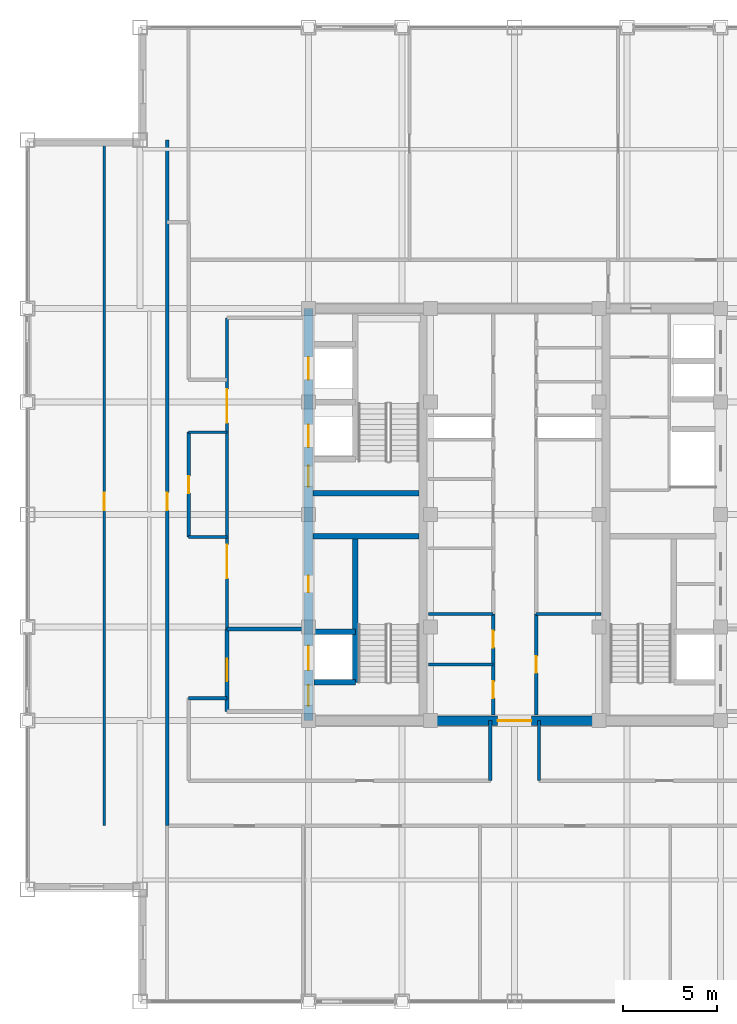
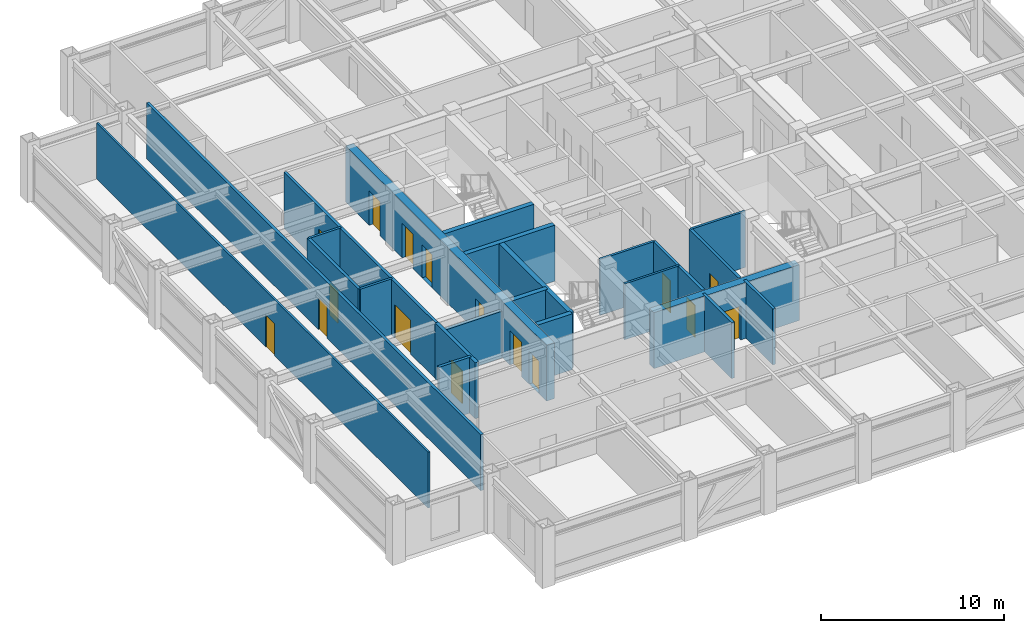
# One storey, part 24 of 28: 23 walls, 16 doors, 16 openings.
"""IFC4 building model written with IfcOpenShell, lengths in metres."""

from ifc_helpers import new_model, si_unit, direction, frame, frame_2d, origin, place, context, subcontext, project, spatial, rectangle, extrude, source, transform, mapped, material, layer, layer_set, type_object, element, fill, save


model = new_model("IFC4")

# Units and contexts
model_context = context("Model", 3, precision=1e-05, world=origin(), true_north=direction((0.0, 1.0)))
body_context = subcontext(model_context, "Body", "Model", "MODEL_VIEW")
ifc_project = project(units=[si_unit("LENGTHUNIT", "METRE"), si_unit("AREAUNIT", "SQUARE_METRE"), si_unit("VOLUMEUNIT", "CUBIC_METRE"), si_unit("PLANEANGLEUNIT", "RADIAN"), si_unit("MASSUNIT", "GRAM", prefix="KILO")], contexts=[model_context])

# Site, building, storey
site_placement = place(None, origin())
site = spatial("IfcSite", under=ifc_project, at=site_placement, CompositionType="ELEMENT")
building_placement = place(site_placement, origin())
building = spatial("IfcBuilding", under=site, at=building_placement, Name="Khorayat Bourse Tower", CompositionType="ELEMENT")
storey_placement = place(building_placement, frame((0.0, 0.0, 334.300048828125)))
storey = spatial("IfcBuildingStorey", under=building, at=storey_placement, Name="L79", CompositionType="ELEMENT", Elevation=334.300048828125)

# Wall, openings, doors
ifc_material_1 = material(Name="Concrete C52/65", Category="concrete")
ifc_layer_1 = layer(ifc_material_1, 0.5)
ifc_layer_set_1 = layer_set([ifc_layer_1], Name="Concrete C52/65")
wall_type_1 = type_object("IfcWallType", Name="WAL-CORE-500", PredefinedType="SHEAR", material=ifc_layer_set_1)
shared_shape_1 = source(origin(), body_context, "Body", "SweptSolid", [
    extrude(rectangle(XDim=22.0, YDim=0.5, at=frame_2d((11.0, 0.0))), origin(), (0.0, 0.0, 1.0), 3.739990234375),
])
wall_1_placement = place(storey_placement, frame((-11.0, -11.0, 0.0), z_axis=(0.0, 0.0, 1.0), x_axis=(0.0, 1.0, 0.0)))
wall_1 = element("IfcWall", 1, at=wall_1_placement, inside=storey, type_object=wall_type_1, Name="L79 Core Shear Wall CORE-W", PredefinedType="SHEAR", context=body_context, shape_type="MappedRepresentation", body=[
    mapped(shared_shape_1, transform((0.0, 0.0, 0.0), scale=1.0)),
])
shared_shape_2 = source(origin(), body_context, "Body", "SweptSolid", [
    extrude(rectangle(XDim=1.10009765625, YDim=2.199951171875, at=frame_2d((0.550048828125, 1.10009765625))), frame((0.0, 0.260009765625, 0.0), z_axis=(0.0, -1.0, 0.0), x_axis=(1.0, 0.0, 0.0)), (0.0, 0.0, 1.0), 0.52001953125),
])
opening_1_placement = place(wall_1_placement, frame((0.800048828125, 0.0, 0.0)))
opening_1 = element("IfcOpeningElement", 2, at=opening_1_placement, cuts=wall_1, Name="Opening DI-01", PredefinedType="OPENING", context=body_context, shape_type="MappedRepresentation", body=[
    mapped(shared_shape_2, transform((0.0, 0.0, 0.0), scale=1.0)),
])
opening_2_placement = place(wall_1_placement, frame((12.5, 0.0, 0.0)))
opening_2 = element("IfcOpeningElement", 3, at=opening_2_placement, cuts=wall_1, Name="Opening DI-01", PredefinedType="OPENING", context=body_context, shape_type="MappedRepresentation", body=[
    mapped(shared_shape_2, transform((0.0, 0.0, 0.0), scale=1.0)),
])
shared_shape_3 = source(origin(), body_context, "Body", "SweptSolid", [
    extrude(rectangle(XDim=0.89990234375, YDim=2.14990234375, at=frame_2d((0.449951171875, 1.074951171875))), frame((0.0, 0.260009765625, 0.0), z_axis=(0.0, -1.0, 0.0), x_axis=(1.0, 0.0, 0.0)), (0.0, 0.0, 1.0), 0.52001953125),
])
opening_3_placement = place(wall_1_placement, frame((6.85009765625, 0.0, 0.0)))
opening_3 = element("IfcOpeningElement", 4, at=opening_3_placement, cuts=wall_1, Name="Opening DI-06", PredefinedType="OPENING", context=body_context, shape_type="MappedRepresentation", body=[
    mapped(shared_shape_3, transform((0.0, 0.0, 0.0), scale=1.0)),
])
shared_shape_4 = source(origin(), body_context, "Body", "SweptSolid", [
    extrude(rectangle(XDim=1.199951171875, YDim=2.300048828125, at=frame_2d((0.60009765625, 1.14990234375))), frame((0.0, 0.260009765625, 0.0), z_axis=(0.0, -1.0, 0.0), x_axis=(1.0, 0.0, 0.0)), (0.0, 0.0, 1.0), 0.52001953125),
])
opening_4_placement = place(wall_1_placement, frame((14.60009765625, 0.0, 0.0)))
opening_4 = element("IfcOpeningElement", 5, at=opening_4_placement, cuts=wall_1, Name="Opening LD-01", PredefinedType="OPENING", context=body_context, shape_type="MappedRepresentation", body=[
    mapped(shared_shape_4, transform((0.0, 0.0, 0.0), scale=1.0)),
])
opening_5_placement = place(wall_1_placement, frame((18.199951171875, 0.0, 0.0)))
opening_5 = element("IfcOpeningElement", 6, at=opening_5_placement, cuts=wall_1, Name="Opening LD-01", PredefinedType="OPENING", context=body_context, shape_type="MappedRepresentation", body=[
    mapped(shared_shape_4, transform((0.0, 0.0, 0.0), scale=1.0)),
])
shared_shape_5 = source(origin(), body_context, "Body", "SweptSolid", [
    extrude(rectangle(XDim=1.300048828125, YDim=2.300048828125, at=frame_2d((0.64990234375, 1.14990234375))), frame((0.0, 0.260009765625, 0.0), z_axis=(0.0, -1.0, 0.0), x_axis=(1.0, 0.0, 0.0)), (0.0, 0.0, 1.0), 0.52001953125),
])
opening_6_placement = place(wall_1_placement, frame((2.699951171875, 0.0, 0.0)))
opening_6 = element("IfcOpeningElement", 7, at=opening_6_placement, cuts=wall_1, Name="Opening LD-02", PredefinedType="OPENING", context=body_context, shape_type="MappedRepresentation", body=[
    mapped(shared_shape_5, transform((0.0, 0.0, 0.0), scale=1.0)),
])
ifc_material_2 = material(Name="Fire-rated steel acoustic leaf", Category="steel")
door_type_1 = type_object("IfcDoorType", Name="DR-INT-STAIR-1100", OperationType="NOTDEFINED", PredefinedType="DOOR", material=ifc_material_2)
shared_shape_6 = source(origin(), body_context, "Body", "SweptSolid", [
    extrude(rectangle(XDim=1.10009765625, YDim=2.199951171875, at=frame_2d((0.550048828125, 1.10009765625))), frame((0.0, 0.02490234375, 0.0), z_axis=(0.0, -1.0, 0.0), x_axis=(1.0, 0.0, 0.0)), (0.0, 0.0, 1.0), 0.050048828125),
])
door_1_placement = place(opening_1_placement, origin())
door_1 = element("IfcDoor", 8, at=door_1_placement, inside=storey, type_object=door_type_1, Name="L79 Exit Stair 1 Door", OperationType="SINGLE_SWING_RIGHT", OverallHeight=2.199951171875, OverallWidth=1.10009765625, PredefinedType="DOOR", context=body_context, shape_type="MappedRepresentation", body=[
    mapped(shared_shape_6, transform((0.0, 0.0, 0.0), scale=1.0)),
])
fill(opening_1, door_1)
door_2_placement = place(opening_2_placement, origin())
door_2 = element("IfcDoor", 9, at=door_2_placement, inside=storey, type_object=door_type_1, Name="L79 Exit Stair 2 Door", OperationType="SINGLE_SWING_RIGHT", OverallHeight=2.199951171875, OverallWidth=1.10009765625, PredefinedType="DOOR", context=body_context, shape_type="MappedRepresentation", body=[
    mapped(shared_shape_6, transform((0.0, 0.0, 0.0), scale=1.0)),
])
fill(opening_2, door_2)
ifc_material_3 = material(Name="Moisture-resistant laminate washroom door")
door_type_2 = type_object("IfcDoorType", Name="DR-INT-WC-900", OperationType="NOTDEFINED", PredefinedType="DOOR", material=ifc_material_3)
shared_shape_7 = source(origin(), body_context, "Body", "SweptSolid", [
    extrude(rectangle(XDim=0.89990234375, YDim=2.14990234375, at=frame_2d((0.449951171875, 1.074951171875))), frame((0.0, 0.02490234375, 0.0), z_axis=(0.0, -1.0, 0.0), x_axis=(1.0, 0.0, 0.0)), (0.0, 0.0, 1.0), 0.050048828125),
])
door_3_placement = place(opening_3_placement, origin())
door_3 = element("IfcDoor", 10, at=door_3_placement, inside=storey, type_object=door_type_2, Name="L79 Electrical Switch Plant Room Door", OperationType="SINGLE_SWING_RIGHT", OverallHeight=2.14990234375, OverallWidth=0.89990234375, PredefinedType="DOOR", context=body_context, shape_type="MappedRepresentation", body=[
    mapped(shared_shape_7, transform((0.0, 0.0, 0.0), scale=1.0)),
])
fill(opening_3, door_3)
ifc_material_4 = material(Name="Brushed bronze stainless-steel sliding door", Category="steel")
door_type_3 = type_object("IfcDoorType", Name="DR-LIFT-PASS-1200", OperationType="NOTDEFINED", PredefinedType="DOOR", material=ifc_material_4)
shared_shape_8 = source(origin(), body_context, "Body", "SweptSolid", [
    extrude(rectangle(XDim=1.199951171875, YDim=2.300048828125, at=frame_2d((0.60009765625, 1.14990234375))), frame((0.0, 0.02490234375, 0.0), z_axis=(0.0, -1.0, 0.0), x_axis=(1.0, 0.0, 0.0)), (0.0, 0.0, 1.0), 0.050048828125),
])
door_4_placement = place(opening_4_placement, origin())
door_4 = element("IfcDoor", 11, at=door_4_placement, inside=storey, type_object=door_type_3, Name="L79 Lift PL-H1 Sliding Landing Door", OperationType="SLIDING_TO_LEFT", OverallHeight=2.300048828125, OverallWidth=1.199951171875, PredefinedType="DOOR", context=body_context, shape_type="MappedRepresentation", body=[
    mapped(shared_shape_8, transform((0.0, 0.0, 0.0), scale=1.0)),
])
fill(opening_4, door_4)
door_5_placement = place(opening_5_placement, origin())
door_5 = element("IfcDoor", 12, at=door_5_placement, inside=storey, type_object=door_type_3, Name="L79 Lift PL-H2 Sliding Landing Door", OperationType="SLIDING_TO_LEFT", OverallHeight=2.300048828125, OverallWidth=1.199951171875, PredefinedType="DOOR", context=body_context, shape_type="MappedRepresentation", body=[
    mapped(shared_shape_8, transform((0.0, 0.0, 0.0), scale=1.0)),
])
fill(opening_5, door_5)
ifc_material_5 = material(Name="Fire-rated stainless-steel sliding landing door", Category="steel")
door_type_4 = type_object("IfcDoorType", Name="DR-LIFT-FF-1300", OperationType="NOTDEFINED", PredefinedType="DOOR", material=ifc_material_5)
shared_shape_9 = source(origin(), body_context, "Body", "SweptSolid", [
    extrude(rectangle(XDim=1.300048828125, YDim=2.300048828125, at=frame_2d((0.64990234375, 1.14990234375))), frame((0.0, 0.02490234375, 0.0), z_axis=(0.0, -1.0, 0.0), x_axis=(1.0, 0.0, 0.0)), (0.0, 0.0, 1.0), 0.050048828125),
])
door_6_placement = place(opening_6_placement, origin())
door_6 = element("IfcDoor", 13, at=door_6_placement, inside=storey, type_object=door_type_4, Name="L79 Lift FFL-01 Sliding Landing Door", OperationType="SLIDING_TO_LEFT", OverallHeight=2.300048828125, OverallWidth=1.300048828125, PredefinedType="DOOR", context=body_context, shape_type="MappedRepresentation", body=[
    mapped(shared_shape_9, transform((0.0, 0.0, 0.0), scale=1.0)),
])
fill(opening_6, door_6)

# Walls
ifc_material_6 = material(Name="Concrete C50/60", Category="concrete")
ifc_layer_2 = layer(ifc_material_6, 0.300048828125)
ifc_layer_set_2 = layer_set([ifc_layer_2], Name="Concrete C50/60")
wall_type_2 = type_object("IfcWallType", Name="WAL-SHAFT-300", PredefinedType="SHEAR", material=ifc_layer_set_2)
shared_shape_10 = source(origin(), body_context, "Body", "SweptSolid", [
    extrude(rectangle(XDim=5.64990234375, YDim=0.300048828125, at=frame_2d((2.824951171875, 0.0))), origin(), (0.0, 0.0, 1.0), 3.739990234375),
])
for number, where, z_axis, x_axis, name in (
    (14, (-10.75, -1.14990234375, 0.0), (0.0, 0.0, 1.0), (1.0, 0.0, 0.0), "L79 Core Shear Wall ST1-DIV"),
    (15, (-10.75, 1.14990234375, 0.0), (0.0, 0.0, 1.0), (1.0, 0.0, 0.0), "L79 Core Shear Wall ST2-DIV"),
):
    element("IfcWall", number, at=place(storey_placement, frame(where, z_axis=z_axis, x_axis=x_axis)), inside=storey, type_object=wall_type_2, Name=name, PredefinedType="SHEAR", context=body_context, shape_type="MappedRepresentation", body=[
        mapped(shared_shape_10, transform((0.0, 0.0, 0.0), scale=1.0)),
    ])

# Wall, opening, door
shared_shape_11 = source(origin(), body_context, "Body", "SweptSolid", [
    extrude(rectangle(XDim=9.2001953125, YDim=0.5, at=frame_2d((4.60009765625, 0.0))), origin(), (0.0, 0.0, 1.0), 3.739990234375),
])
wall_2_placement = place(storey_placement, frame((-4.60009765625, -11.0, 0.0), z_axis=(0.0, 0.0, 1.0), x_axis=(1.0, 0.0, 0.0)))
wall_2 = element("IfcWall", 16, at=wall_2_placement, inside=storey, type_object=wall_type_1, Name="L79 Core Shear Wall CORE-S", PredefinedType="SHEAR", context=body_context, shape_type="MappedRepresentation", body=[
    mapped(shared_shape_11, transform((0.0, 0.0, 0.0), scale=1.0)),
])
shared_shape_12 = source(origin(), body_context, "Body", "SweptSolid", [
    extrude(rectangle(XDim=1.800048828125, YDim=2.25, at=frame_2d((0.89990234375, 1.125))), frame((0.0, 0.260009765625, 0.0), z_axis=(0.0, -1.0, 0.0), x_axis=(1.0, 0.0, 0.0)), (0.0, 0.0, 1.0), 0.52001953125),
])
opening_7_placement = place(wall_2_placement, frame((3.699951171875, 0.0, 0.0)))
opening_7 = element("IfcOpeningElement", 17, at=opening_7_placement, cuts=wall_2, Name="Opening DI-03", PredefinedType="OPENING", context=body_context, shape_type="MappedRepresentation", body=[
    mapped(shared_shape_12, transform((0.0, 0.0, 0.0), scale=1.0)),
])
ifc_material_7 = material(Name="Fire-rated hardwood vision-panel double leaf", Category="wood")
door_type_5 = type_object("IfcDoorType", Name="DR-INT-CORR-1800", OperationType="NOTDEFINED", PredefinedType="DOOR", material=ifc_material_7)
shared_shape_13 = source(origin(), body_context, "Body", "SweptSolid", [
    extrude(rectangle(XDim=1.800048828125, YDim=2.25, at=frame_2d((0.89990234375, 1.125))), frame((0.0, 0.02490234375, 0.0), z_axis=(0.0, -1.0, 0.0), x_axis=(1.0, 0.0, 0.0)), (0.0, 0.0, 1.0), 0.050048828125),
])
door_7_placement = place(opening_7_placement, origin())
door_7 = element("IfcDoor", 18, at=door_7_placement, inside=storey, type_object=door_type_5, Name="L79 Central Core South Passage Door", OperationType="SINGLE_SWING_LEFT", OverallHeight=2.25, OverallWidth=1.800048828125, PredefinedType="DOOR", context=body_context, shape_type="MappedRepresentation", body=[
    mapped(shared_shape_13, transform((0.0, 0.0, 0.0), scale=1.0)),
])
fill(opening_7, door_7)

# Walls
shared_shape_14 = source(origin(), body_context, "Body", "SweptSolid", [
    extrude(rectangle(XDim=7.800048828125, YDim=0.300048828125, at=frame_2d((3.89990234375, 0.0))), origin(), (0.0, 0.0, 1.0), 3.739990234375),
])
wall_3_placement = place(storey_placement, frame((-8.5, -8.949951171875, 0.0), z_axis=(0.0, 0.0, 1.0), x_axis=(0.0, 1.0, 0.0)))
element("IfcWall", 19, at=wall_3_placement, inside=storey, type_object=wall_type_2, Name="L79 Partition WAL-L79-WPIER-SP", PredefinedType="SHEAR", context=body_context, shape_type="MappedRepresentation", body=[
    mapped(shared_shape_14, transform((0.0, 0.0, 0.0), scale=1.0)),
])
shared_shape_15 = source(origin(), body_context, "Body", "SweptSolid", [
    extrude(rectangle(XDim=2.199951171875, YDim=0.300048828125, at=frame_2d((1.10009765625, 0.0))), origin(), (0.0, 0.0, 1.0), 3.739990234375),
])
for number, where, z_axis, x_axis, name in (
    (20, (-10.699951171875, -8.949951171875, 0.0), (0.0, 0.0, 1.0), (1.0, 0.0, 0.0), "L79 Partition WAL-L79-WPIER-FF1S"),
    (21, (-10.699951171875, -6.25, 0.0), (0.0, 0.0, 1.0), (1.0, 0.0, 0.0), "L79 Partition WAL-L79-WPIER-FF1N"),
):
    element("IfcWall", number, at=place(storey_placement, frame(where, z_axis=z_axis, x_axis=x_axis)), inside=storey, type_object=wall_type_2, Name=name, PredefinedType="SHEAR", context=body_context, shape_type="MappedRepresentation", body=[
        mapped(shared_shape_15, transform((0.0, 0.0, 0.0), scale=1.0)),
    ])
ifc_material_8 = material(Name="Aerated concrete blockwork", Category="masonry")
ifc_layer_3 = layer(ifc_material_8, 0.219970703125)
ifc_layer_set_3 = layer_set([ifc_layer_3], Name="Aerated concrete blockwork")
wall_type_3 = type_object("IfcWallType", Name="WAL-PART-FF-220", PredefinedType="PARTITIONING", material=ifc_layer_set_3)
shared_shape_16 = source(origin(), body_context, "Body", "SweptSolid", [
    extrude(rectangle(XDim=4.050048828125, YDim=0.219970703125, at=frame_2d((2.02490234375, 0.0))), origin(), (0.0, 0.0, 1.0), 3.1240234375),
])
wall_4_placement = place(storey_placement, frame((-15.35009765625, -6.10009765625, 0.0), z_axis=(0.0, 0.0, 1.0), x_axis=(1.0, 0.0, 0.0)))
element("IfcWall", 22, at=wall_4_placement, inside=storey, type_object=wall_type_3, Name="L79 Partition WAL-L79-FFLW-N", PredefinedType="PARTITIONING", context=body_context, shape_type="MappedRepresentation", body=[
    mapped(shared_shape_16, transform((0.0, 0.0, 0.0), scale=1.0)),
])

# Wall, opening, door
shared_shape_17 = source(origin(), body_context, "Body", "SweptSolid", [
    extrude(rectangle(XDim=4.39990234375, YDim=0.219970703125, at=frame_2d((2.199951171875, 0.0))), origin(), (0.0, 0.0, 1.0), 3.739990234375),
])
wall_5_placement = place(storey_placement, frame((-15.35009765625, -10.5, 0.0), z_axis=(0.0, 0.0, 1.0), x_axis=(0.0, 1.0, 0.0)))
wall_5 = element("IfcWall", 23, at=wall_5_placement, inside=storey, type_object=wall_type_3, Name="L79 Partition WAL-L79-FFLW-W", PredefinedType="PARTITIONING", context=body_context, shape_type="MappedRepresentation", body=[
    mapped(shared_shape_17, transform((0.0, 0.0, 0.0), scale=1.0)),
])
shared_shape_18 = source(origin(), body_context, "Body", "SweptSolid", [
    extrude(rectangle(XDim=1.199951171875, YDim=2.199951171875, at=frame_2d((0.60009765625, 1.10009765625))), frame((0.0, 0.119873046875, 0.0), z_axis=(0.0, -1.0, 0.0), x_axis=(1.0, 0.0, 0.0)), (0.0, 0.0, 1.0), 0.239990234375),
])
opening_8_placement = place(wall_5_placement, frame((1.60009765625, 0.0, 0.0)))
opening_8 = element("IfcOpeningElement", 24, at=opening_8_placement, cuts=wall_5, Name="Opening DI-02", PredefinedType="OPENING", context=body_context, shape_type="MappedRepresentation", body=[
    mapped(shared_shape_18, transform((0.0, 0.0, 0.0), scale=1.0)),
])
ifc_material_9 = material(Name="Fire-rated steel double-seal leaf", Category="steel")
door_type_6 = type_object("IfcDoorType", Name="DR-INT-FFLOBBY-1200", OperationType="NOTDEFINED", PredefinedType="DOOR", material=ifc_material_9)
shared_shape_19 = source(origin(), body_context, "Body", "SweptSolid", [
    extrude(rectangle(XDim=1.199951171875, YDim=2.199951171875, at=frame_2d((0.60009765625, 1.10009765625))), frame((0.0, 0.02490234375, 0.0), z_axis=(0.0, -1.0, 0.0), x_axis=(1.0, 0.0, 0.0)), (0.0, 0.0, 1.0), 0.050048828125),
])
door_8_placement = place(opening_8_placement, origin())
door_8 = element("IfcDoor", 25, at=door_8_placement, inside=storey, type_object=door_type_6, Name="L79 West Firefighting Lobby Door", OperationType="SINGLE_SWING_LEFT", OverallHeight=2.199951171875, OverallWidth=1.199951171875, PredefinedType="DOOR", context=body_context, shape_type="MappedRepresentation", body=[
    mapped(shared_shape_19, transform((0.0, 0.0, 0.0), scale=1.0)),
])
fill(opening_8, door_8)

# Wall, openings, doors
ifc_material_10 = material(Name="Gypsum plasterboard acoustic stud wall")
ifc_layer_4 = layer(ifc_material_10, 0.179931640625)
ifc_layer_set_4 = layer_set([ifc_layer_4], Name="Gypsum plasterboard acoustic stud wall")
wall_type_4 = type_object("IfcWallType", Name="WAL-PART-CORR-180", PredefinedType="PARTITIONING", material=ifc_layer_set_4)
shared_shape_20 = source(origin(), body_context, "Body", "SweptSolid", [
    extrude(rectangle(XDim=16.60009765625, YDim=0.179931640625, at=frame_2d((8.300048828125, 0.0))), origin(), (0.0, 0.0, 1.0), 3.739990234375),
])
wall_6_placement = place(storey_placement, frame((-15.35009765625, -6.10009765625, 0.0), z_axis=(0.0, 0.0, 1.0), x_axis=(0.0, 1.0, 0.0)))
wall_6 = element("IfcWall", 26, at=wall_6_placement, inside=storey, type_object=wall_type_4, Name="L79 Partition WAL-L79-WLOB-W", PredefinedType="PARTITIONING", context=body_context, shape_type="MappedRepresentation", body=[
    mapped(shared_shape_20, transform((0.0, 0.0, 0.0), scale=1.0)),
])
shared_shape_21 = source(origin(), body_context, "Body", "SweptSolid", [
    extrude(rectangle(XDim=1.800048828125, YDim=2.25, at=frame_2d((0.89990234375, 1.125))), frame((0.0, 0.099853515625, 0.0), z_axis=(0.0, -1.0, 0.0), x_axis=(1.0, 0.0, 0.0)), (0.0, 0.0, 1.0), 0.199951171875),
])
opening_9_placement = place(wall_6_placement, frame((2.699951171875, 0.0, 0.0)))
opening_9 = element("IfcOpeningElement", 27, at=opening_9_placement, cuts=wall_6, Name="Opening DI-03", PredefinedType="OPENING", context=body_context, shape_type="MappedRepresentation", body=[
    mapped(shared_shape_21, transform((0.0, 0.0, 0.0), scale=1.0)),
])
opening_10_placement = place(wall_6_placement, frame((11.0, 0.0, 0.0)))
opening_10 = element("IfcOpeningElement", 28, at=opening_10_placement, cuts=wall_6, Name="Opening DI-03", PredefinedType="OPENING", context=body_context, shape_type="MappedRepresentation", body=[
    mapped(shared_shape_21, transform((0.0, 0.0, 0.0), scale=1.0)),
])
door_9_placement = place(opening_9_placement, origin())
door_9 = element("IfcDoor", 29, at=door_9_placement, inside=storey, type_object=door_type_5, Name="L79 West Core Lobby South Door", OperationType="SINGLE_SWING_LEFT", OverallHeight=2.25, OverallWidth=1.800048828125, PredefinedType="DOOR", context=body_context, shape_type="MappedRepresentation", body=[
    mapped(shared_shape_13, transform((0.0, 0.0, 0.0), scale=1.0)),
])
fill(opening_9, door_9)
door_10_placement = place(opening_10_placement, origin())
door_10 = element("IfcDoor", 30, at=door_10_placement, inside=storey, type_object=door_type_5, Name="L79 West Core Lobby North Door", OperationType="SINGLE_SWING_RIGHT", OverallHeight=2.25, OverallWidth=1.800048828125, PredefinedType="DOOR", context=body_context, shape_type="MappedRepresentation", body=[
    mapped(shared_shape_13, transform((0.0, 0.0, 0.0), scale=1.0)),
])
fill(opening_10, door_10)

# Walls
ifc_material_11 = material(Name="Gypsum plasterboard twin-frame partition")
ifc_layer_5 = layer(ifc_material_11, 0.14990234375)
ifc_layer_set_5 = layer_set([ifc_layer_5], Name="Gypsum plasterboard twin-frame partition")
wall_type_5 = type_object("IfcWallType", Name="WAL-PART-SUITE-150", PredefinedType="PARTITIONING", material=ifc_layer_set_5)
shared_shape_22 = source(origin(), body_context, "Body", "SweptSolid", [
    extrude(rectangle(XDim=3.4501953125, YDim=0.14990234375, at=frame_2d((1.72509765625, 0.0))), origin(), (0.0, 0.0, 1.0), 3.739990234375),
])
for number, where, z_axis, x_axis, name in (
    (31, (-4.60009765625, -5.300048828125, 0.0), (0.0, 0.0, 1.0), (1.0, 0.0, 0.0), "L79 Partition WAL-L79-FB1-NW"),
    (32, (1.14990234375, -5.300048828125, 0.0), (0.0, 0.0, 1.0), (1.0, 0.0, 0.0), "L79 Partition WAL-L79-FB1-NE"),
):
    element("IfcWall", number, at=place(storey_placement, frame(where, z_axis=z_axis, x_axis=x_axis)), inside=storey, type_object=wall_type_5, Name=name, PredefinedType="PARTITIONING", context=body_context, shape_type="MappedRepresentation", body=[
        mapped(shared_shape_22, transform((0.0, 0.0, 0.0), scale=1.0)),
    ])
ifc_material_12 = material(Name="Moisture-resistant masonry partition", Category="masonry")
ifc_layer_6 = layer(ifc_material_12, 0.139892578125)
ifc_layer_set_6 = layer_set([ifc_layer_6], Name="Moisture-resistant masonry partition")
wall_type_6 = type_object("IfcWallType", Name="WAL-PART-WET-140", PredefinedType="PARTITIONING", material=ifc_layer_set_6)
shared_shape_23 = source(origin(), body_context, "Body", "SweptSolid", [
    extrude(rectangle(XDim=3.4501953125, YDim=0.139892578125, at=frame_2d((1.72509765625, 0.0))), origin(), (0.0, 0.0, 1.0), 3.739990234375),
])
wall_7_placement = place(storey_placement, frame((-4.60009765625, -8.0, 0.0), z_axis=(0.0, 0.0, 1.0), x_axis=(1.0, 0.0, 0.0)))
element("IfcWall", 33, at=wall_7_placement, inside=storey, type_object=wall_type_6, Name="L79 Partition WAL-L79-FB1W-D1", PredefinedType="PARTITIONING", context=body_context, shape_type="MappedRepresentation", body=[
    mapped(shared_shape_23, transform((0.0, 0.0, 0.0), scale=1.0)),
])

# Wall, openings, doors
shared_shape_24 = source(origin(), body_context, "Body", "SweptSolid", [
    extrude(rectangle(XDim=5.39990234375, YDim=0.179931640625, at=frame_2d((2.699951171875, 0.0))), origin(), (0.0, 0.0, 1.0), 3.739990234375),
])
wall_8_placement = place(storey_placement, frame((-1.14990234375, -10.699951171875, 0.0), z_axis=(0.0, 0.0, 1.0), x_axis=(0.0, 1.0, 0.0)))
wall_8 = element("IfcWall", 34, at=wall_8_placement, inside=storey, type_object=wall_type_4, Name="L79 Partition WAL-L79-FB1W-L", PredefinedType="PARTITIONING", context=body_context, shape_type="MappedRepresentation", body=[
    mapped(shared_shape_24, transform((0.0, 0.0, 0.0), scale=1.0)),
])
shared_shape_25 = source(origin(), body_context, "Body", "SweptSolid", [
    extrude(rectangle(XDim=0.89990234375, YDim=2.14990234375, at=frame_2d((0.449951171875, 1.074951171875))), frame((0.0, 0.099853515625, 0.0), z_axis=(0.0, -1.0, 0.0), x_axis=(1.0, 0.0, 0.0)), (0.0, 0.0, 1.0), 0.199951171875),
])
opening_11_placement = place(wall_8_placement, frame((0.89990234375, 0.0, 0.0)))
opening_11 = element("IfcOpeningElement", 35, at=opening_11_placement, cuts=wall_8, Name="Opening DI-06", PredefinedType="OPENING", context=body_context, shape_type="MappedRepresentation", body=[
    mapped(shared_shape_25, transform((0.0, 0.0, 0.0), scale=1.0)),
])
opening_12_placement = place(wall_8_placement, frame((3.60009765625, 0.0, 0.0)))
opening_12 = element("IfcOpeningElement", 36, at=opening_12_placement, cuts=wall_8, Name="Opening DI-06", PredefinedType="OPENING", context=body_context, shape_type="MappedRepresentation", body=[
    mapped(shared_shape_25, transform((0.0, 0.0, 0.0), scale=1.0)),
])
door_11_placement = place(opening_11_placement, origin())
door_11 = element("IfcDoor", 37, at=door_11_placement, inside=storey, type_object=door_type_2, Name="L79 Clearing Vault Store Door", OperationType="SINGLE_SWING_RIGHT", OverallHeight=2.14990234375, OverallWidth=0.89990234375, PredefinedType="DOOR", context=body_context, shape_type="MappedRepresentation", body=[
    mapped(shared_shape_7, transform((0.0, 0.0, 0.0), scale=1.0)),
])
fill(opening_11, door_11)
door_12_placement = place(opening_12_placement, origin())
door_12 = element("IfcDoor", 38, at=door_12_placement, inside=storey, type_object=door_type_2, Name="L79 UPS Battery Plant Room Door", OperationType="SINGLE_SWING_LEFT", OverallHeight=2.14990234375, OverallWidth=0.89990234375, PredefinedType="DOOR", context=body_context, shape_type="MappedRepresentation", body=[
    mapped(shared_shape_7, transform((0.0, 0.0, 0.0), scale=1.0)),
])
fill(opening_12, door_12)

# Wall, opening, door
wall_9_placement = place(storey_placement, frame((1.14990234375, -10.699951171875, 0.0), z_axis=(0.0, 0.0, 1.0), x_axis=(0.0, 1.0, 0.0)))
wall_9 = element("IfcWall", 39, at=wall_9_placement, inside=storey, type_object=wall_type_4, Name="L79 Partition WAL-L79-FB1E-L", PredefinedType="PARTITIONING", context=body_context, shape_type="MappedRepresentation", body=[
    mapped(shared_shape_24, transform((0.0, 0.0, 0.0), scale=1.0)),
])
opening_13_placement = place(wall_9_placement, frame((2.25, 0.0, 0.0)))
opening_13 = element("IfcOpeningElement", 40, at=opening_13_placement, cuts=wall_9, Name="Opening DI-06", PredefinedType="OPENING", context=body_context, shape_type="MappedRepresentation", body=[
    mapped(shared_shape_25, transform((0.0, 0.0, 0.0), scale=1.0)),
])
door_13_placement = place(opening_13_placement, origin())
door_13 = element("IfcDoor", 41, at=door_13_placement, inside=storey, type_object=door_type_2, Name="L79 Core Archive Vault Door", OperationType="SINGLE_SWING_RIGHT", OverallHeight=2.14990234375, OverallWidth=0.89990234375, PredefinedType="DOOR", context=body_context, shape_type="MappedRepresentation", body=[
    mapped(shared_shape_7, transform((0.0, 0.0, 0.0), scale=1.0)),
])
fill(opening_13, door_13)

shared_shape_26 = source(origin(), body_context, "Body", "SweptSolid", [
    extrude(rectangle(XDim=5.599853515625, YDim=0.179931640625, at=frame_2d((2.7998046875, 0.0))), origin(), (0.0, 0.0, 1.0), 3.739990234375),
])
wall_10_placement = place(storey_placement, frame((-17.39990234375, -1.199951171875, 0.0), z_axis=(0.0, 0.0, 1.0), x_axis=(0.0, 1.0, 0.0)))
wall_10 = element("IfcWall", 42, at=wall_10_placement, inside=storey, type_object=wall_type_4, Name="L79 Partition WAL-L79-PKWM-W", PredefinedType="PARTITIONING", context=body_context, shape_type="MappedRepresentation", body=[
    mapped(shared_shape_26, transform((0.0, 0.0, 0.0), scale=1.0)),
])
opening_14_placement = place(wall_10_placement, frame((2.35009765625, 0.0, 0.0)))
opening_14 = element("IfcOpeningElement", 43, at=opening_14_placement, cuts=wall_10, Name="Opening DI-06", PredefinedType="OPENING", context=body_context, shape_type="MappedRepresentation", body=[
    mapped(shared_shape_25, transform((0.0, 0.0, 0.0), scale=1.0)),
])
door_14_placement = place(opening_14_placement, origin())
door_14 = element("IfcDoor", 44, at=door_14_placement, inside=storey, type_object=door_type_2, Name="L79 West Inboard Focus Door", OperationType="SINGLE_SWING_LEFT", OverallHeight=2.14990234375, OverallWidth=0.89990234375, PredefinedType="DOOR", context=body_context, shape_type="MappedRepresentation", body=[
    mapped(shared_shape_7, transform((0.0, 0.0, 0.0), scale=1.0)),
])
fill(opening_14, door_14)

# Walls
shared_shape_27 = source(origin(), body_context, "Body", "SweptSolid", [
    extrude(rectangle(XDim=2.0498046875, YDim=0.14990234375, at=frame_2d((1.02490234375, 0.0))), origin(), (0.0, 0.0, 1.0), 3.739990234375),
])
for number, where, z_axis, x_axis, name in (
    (45, (-17.39990234375, -1.199951171875, 0.0), (0.0, 0.0, 1.0), (1.0, 0.0, 0.0), "L79 Partition WAL-L79-PKWM-S"),
    (46, (-17.39990234375, 4.39990234375, 0.0), (0.0, 0.0, 1.0), (1.0, 0.0, 0.0), "L79 Partition WAL-L79-PKWM-N"),
):
    element("IfcWall", number, at=place(storey_placement, frame(where, z_axis=z_axis, x_axis=x_axis)), inside=storey, type_object=wall_type_5, Name=name, PredefinedType="PARTITIONING", context=body_context, shape_type="MappedRepresentation", body=[
        mapped(shared_shape_27, transform((0.0, 0.0, 0.0), scale=1.0)),
    ])
shared_shape_28 = source(origin(), body_context, "Body", "SweptSolid", [
    extrude(rectangle(XDim=2.0498046875, YDim=0.179931640625, at=frame_2d((1.02490234375, 0.0))), origin(), (0.0, 0.0, 1.0), 3.739990234375),
])
wall_11_placement = place(storey_placement, frame((-17.39990234375, -9.800048828125, 0.0), z_axis=(0.0, 0.0, 1.0), x_axis=(1.0, 0.0, 0.0)))
element("IfcWall", 47, at=wall_11_placement, inside=storey, type_object=wall_type_4, Name="L79 Partition WAL-L79-THRW-S", PredefinedType="PARTITIONING", context=body_context, shape_type="MappedRepresentation", body=[
    mapped(shared_shape_28, transform((0.0, 0.0, 0.0), scale=1.0)),
])

# Wall, opening, door
ifc_material_13 = material(Name="Gypsum plasterboard partition")
ifc_layer_7 = layer(ifc_material_13, 0.125)
ifc_layer_set_7 = layer_set([ifc_layer_7], Name="Gypsum plasterboard partition")
wall_type_7 = type_object("IfcWallType", Name="WAL-PART-ROOM-125", PredefinedType="PARTITIONING", material=ifc_layer_set_7)
shared_shape_29 = source(origin(), body_context, "Body", "SweptSolid", [
    extrude(rectangle(XDim=36.300048828125, YDim=0.125, at=frame_2d((18.14990234375, 0.0))), origin(), (0.0, 0.0, 1.0), 3.739990234375),
])
wall_12_placement = place(storey_placement, frame((-21.902587890625, -16.60009765625, 0.0), z_axis=(0.0, 0.0, 1.0), x_axis=(0.0, 1.0, 0.0)))
wall_12 = element("IfcWall", 48, at=wall_12_placement, inside=storey, type_object=wall_type_7, Name="L79 Partition WAL-L79-WDP-1", PredefinedType="PARTITIONING", context=body_context, shape_type="MappedRepresentation", body=[
    mapped(shared_shape_29, transform((0.0, 0.0, 0.0), scale=1.0)),
])
shared_shape_30 = source(origin(), body_context, "Body", "SweptSolid", [
    extrude(rectangle(XDim=0.949951171875, YDim=2.14990234375, at=frame_2d((0.47509765625, 1.074951171875))), frame((0.0, 0.072509765625, 0.0), z_axis=(0.0, -1.0, 0.0), x_axis=(1.0, 0.0, 0.0)), (0.0, 0.0, 1.0), 0.14501953125),
])
opening_15_placement = place(wall_12_placement, frame((16.824951171875, 0.0, 0.0)))
opening_15 = element("IfcOpeningElement", 49, at=opening_15_placement, cuts=wall_12, Name="Opening DI-05", PredefinedType="OPENING", context=body_context, shape_type="MappedRepresentation", body=[
    mapped(shared_shape_30, transform((0.0, 0.0, 0.0), scale=1.0)),
])
ifc_material_14 = material(Name="Acoustic oak veneer office door")
door_type_7 = type_object("IfcDoorType", Name="DR-INT-OFFICE-950", OperationType="NOTDEFINED", PredefinedType="DOOR", material=ifc_material_14)
shared_shape_31 = source(origin(), body_context, "Body", "SweptSolid", [
    extrude(rectangle(XDim=0.949951171875, YDim=2.14990234375, at=frame_2d((0.47509765625, 1.074951171875))), frame((0.0, 0.02490234375, 0.0), z_axis=(0.0, -1.0, 0.0), x_axis=(1.0, 0.0, 0.0)), (0.0, 0.0, 1.0), 0.050048828125),
])
door_15_placement = place(opening_15_placement, origin())
door_15 = element("IfcDoor", 50, at=door_15_placement, inside=storey, type_object=door_type_7, Name="L79 Executive Boardroom W1B Door", OperationType="SINGLE_SWING_RIGHT", OverallHeight=2.14990234375, OverallWidth=0.949951171875, PredefinedType="DOOR", context=body_context, shape_type="MappedRepresentation", body=[
    mapped(shared_shape_31, transform((0.0, 0.0, 0.0), scale=1.0)),
])
fill(opening_15, door_15)

# Walls
shared_shape_32 = source(origin(), body_context, "Body", "SweptSolid", [
    extrude(rectangle(XDim=3.199951171875, YDim=0.179931640625, at=frame_2d((1.60009765625, 0.0))), origin(), (0.0, 0.0, 1.0), 3.739990234375),
])
for number, where, z_axis, x_axis, name in (
    (51, (-1.300048828125, -14.199951171875, 0.0), (0.0, 0.0, 1.0), (0.0, 1.0, 0.0), "L79 Partition WAL-L79-PKSW-E"),
    (52, (1.300048828125, -14.199951171875, 0.0), (0.0, 0.0, 1.0), (0.0, 1.0, 0.0), "L79 Partition WAL-L79-PKSE-W"),
):
    element("IfcWall", number, at=place(storey_placement, frame(where, z_axis=z_axis, x_axis=x_axis)), inside=storey, type_object=wall_type_4, Name=name, PredefinedType="PARTITIONING", context=body_context, shape_type="MappedRepresentation", body=[
        mapped(shared_shape_32, transform((0.0, 0.0, 0.0), scale=1.0)),
    ])

# Wall, opening, door
shared_shape_33 = source(origin(), body_context, "Body", "SweptSolid", [
    extrude(rectangle(XDim=36.60009765625, YDim=0.179931640625, at=frame_2d((18.300048828125, 0.0))), origin(), (0.0, 0.0, 1.0), 3.739990234375),
])
wall_13_placement = place(storey_placement, frame((-18.550048828125, -16.60009765625, 0.0), z_axis=(0.0, 0.0, 1.0), x_axis=(0.0, 1.0, 0.0)))
wall_13 = element("IfcWall", 53, at=wall_13_placement, inside=storey, type_object=wall_type_4, Name="L79 Partition WAL-L79-WCORR", PredefinedType="PARTITIONING", context=body_context, shape_type="MappedRepresentation", body=[
    mapped(shared_shape_33, transform((0.0, 0.0, 0.0), scale=1.0)),
])
shared_shape_34 = source(origin(), body_context, "Body", "SweptSolid", [
    extrude(rectangle(XDim=0.949951171875, YDim=2.14990234375, at=frame_2d((0.47509765625, 1.074951171875))), frame((0.0, 0.099853515625, 0.0), z_axis=(0.0, -1.0, 0.0), x_axis=(1.0, 0.0, 0.0)), (0.0, 0.0, 1.0), 0.199951171875),
])
opening_16_placement = place(wall_13_placement, frame((16.824951171875, 0.0, 0.0)))
opening_16 = element("IfcOpeningElement", 54, at=opening_16_placement, cuts=wall_13, Name="Opening DI-05", PredefinedType="OPENING", context=body_context, shape_type="MappedRepresentation", body=[
    mapped(shared_shape_34, transform((0.0, 0.0, 0.0), scale=1.0)),
])
door_16_placement = place(opening_16_placement, origin())
door_16 = element("IfcDoor", 55, at=door_16_placement, inside=storey, type_object=door_type_7, Name="L79 Clearing Operations Office W1 Door", OperationType="SINGLE_SWING_RIGHT", OverallHeight=2.14990234375, OverallWidth=0.949951171875, PredefinedType="DOOR", context=body_context, shape_type="MappedRepresentation", body=[
    mapped(shared_shape_31, transform((0.0, 0.0, 0.0), scale=1.0)),
])
fill(opening_16, door_16)

save(model, "model.ifc")
